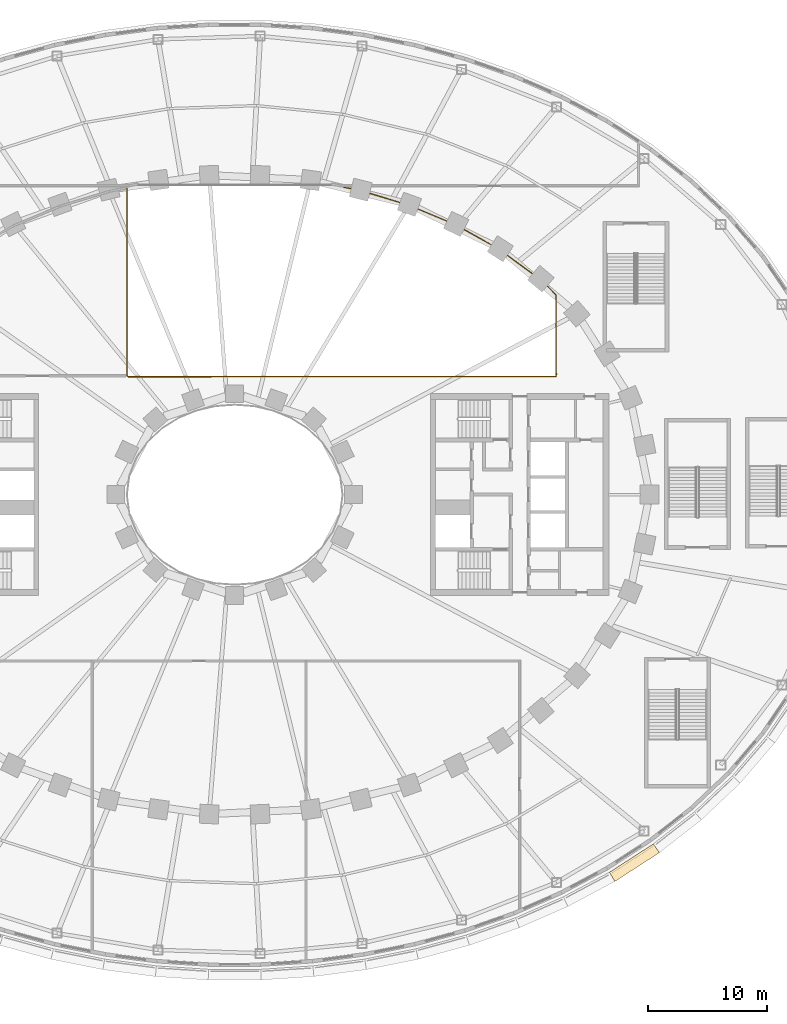
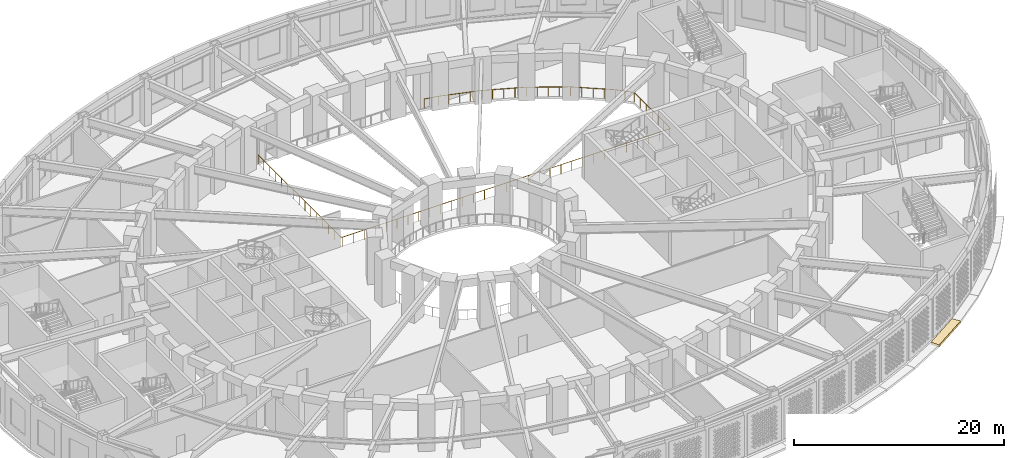
# One storey, part 62 of 69: 1 covering, 1 railing.
"""IFC4 building model written with IfcOpenShell, lengths in metres."""

from ifc_helpers import new_model, si_unit, direction, frame, origin, origin_2d, place, context, subcontext, project, spatial, polyline, rectangle, outline, extrude, material, type_object, element, save


model = new_model("IFC4")

# Units and contexts
model_context = context("Model", 3, precision=1e-05, world=origin(), true_north=direction((0.0, 1.0)))
body_context = subcontext(model_context, "Body", "Model", "MODEL_VIEW")
ifc_project = project(units=[si_unit("LENGTHUNIT", "METRE"), si_unit("AREAUNIT", "SQUARE_METRE"), si_unit("VOLUMEUNIT", "CUBIC_METRE"), si_unit("PLANEANGLEUNIT", "RADIAN"), si_unit("MASSUNIT", "GRAM", prefix="KILO")], contexts=[model_context])

# Site, building, storey
site_placement = place(None, origin())
site = spatial("IfcSite", under=ifc_project, at=site_placement, CompositionType="ELEMENT")
building_placement = place(site_placement, origin())
building = spatial("IfcBuilding", under=site, at=building_placement, Name="Noorbagh Ring Tower", CompositionType="ELEMENT")
storey_placement = place(building_placement, frame((0.0, 0.0, 19.5)))
storey = spatial("IfcBuildingStorey", under=building, at=storey_placement, Name="L03", CompositionType="ELEMENT", Elevation=19.5)

# Railing
ifc_material_1 = material(Name="Stainless steel", Category="steel")
railing_type = type_object("IfcRailingType", Name="DECK-GUARD", PredefinedType="GUARDRAIL", material=ifc_material_1)
railing_placement = place(storey_placement, frame((9.216064453125, 25.868896484375, 0.0)))
element("IfcRailing", 1, at=railing_placement, inside=storey, type_object=railing_type, Name="Auditorium edge guard 2", PredefinedType="GUARDRAIL", context=body_context, shape_type="SweptSolid", body=[
    extrude(rectangle(XDim=0.048095703125, YDim=0.048095703125, at=origin_2d()), frame((0.0, 0.0, 1.076171875), z_axis=(0.981596393434, -0.190967328091, 0.0), x_axis=(0.190967328091, 0.981596393434, 0.0)), (0.0, 0.0, 1.0), 1.405029296875),
    extrude(rectangle(XDim=0.048095703125, YDim=0.048095703125, at=origin_2d()), frame((1.379150390625, -0.268310546875, 1.076171875), z_axis=(0.957576868561, -0.288177967229, 0.0), x_axis=(0.288177967229, 0.957576868561, 0.0)), (0.0, 0.0, 1.0), 4.208740234375),
    extrude(rectangle(XDim=0.048095703125, YDim=0.048095703125, at=origin_2d()), frame((5.409423828125, -1.481201171875, 1.076171875), z_axis=(0.92238049794, -0.386282561112, 0.0), x_axis=(0.386282561112, 0.92238049794, 0.0)), (0.0, 0.0, 1.0), 4.3134765625),
    extrude(rectangle(XDim=0.048095703125, YDim=0.048095703125, at=origin_2d()), frame((9.38818359375, -3.1474609375, 1.076171875), z_axis=(0.872197346671, -0.489154156131, 0.0), x_axis=(0.489154156131, 0.872197346671, 0.0)), (0.0, 0.0, 1.0), 4.21044921875),
    extrude(rectangle(XDim=0.048095703125, YDim=0.048095703125, at=origin_2d()), frame((13.060546875, -5.20703125, 1.076171875), z_axis=(0.805497750953, -0.592598829909, 0.0), x_axis=(0.592598829909, 0.805497750953, 0.0)), (0.0, 0.0, 1.0), 4.31640625),
    extrude(rectangle(XDim=0.048095703125, YDim=0.048095703125, at=origin_2d()), frame((16.537353515625, -7.764892578125, 1.076171875), z_axis=(0.715315797162, -0.698801338244, 0.0), x_axis=(0.698801338244, 0.715315797162, 0.0)), (0.0, 0.0, 1.0), 1.833251953125),
    extrude(rectangle(XDim=0.048095703125, YDim=0.048095703125, at=origin_2d()), frame((17.8486328125, -9.0458984375, 1.076171875), z_axis=(0.001485236543, -0.999998897036, 0.0), x_axis=(0.999998897036, 0.001485236543, 0.0)), (0.0, 0.0, 1.0), 6.739501953125),
    extrude(rectangle(XDim=0.048095703125, YDim=0.048095703125, at=origin_2d()), frame((17.858642578125, -15.785400390625, 1.076171875), z_axis=(-0.271890659004, -0.962328150657, 0.0), x_axis=(0.962328150657, -0.271890659004, 0.0)), (0.0, 0.0, 1.0), 0.148193359375),
    extrude(rectangle(XDim=0.048095703125, YDim=0.048095703125, at=origin_2d()), frame((17.818359375, -15.927978515625, 1.076171875), z_axis=(-0.999999930426, -0.000373025482, 0.0), x_axis=(0.000373025482, -0.999999930426, 0.0)), (0.0, 0.0, 1.0), 35.996826171875),
    extrude(rectangle(XDim=0.048095703125, YDim=0.048095703125, at=origin_2d()), frame((-18.178466796875, -15.94140625, 1.076171875), z_axis=(-0.774978781928, 0.631987252689, 0.0), x_axis=(-0.631987252689, -0.774978781928, 0.0)), (0.0, 0.0, 1.0), 0.13818359375),
    extrude(rectangle(XDim=0.048095703125, YDim=0.048095703125, at=origin_2d()), frame((-18.28564453125, -15.85400390625, 1.076171875), z_axis=(-0.041947778055, 0.999119804586, 0.0), x_axis=(-0.999119804586, -0.041947778055, 0.0)), (0.0, 0.0, 1.0), 0.1279296875),
    extrude(rectangle(XDim=0.048095703125, YDim=0.048095703125, at=origin_2d()), frame((-18.291015625, -15.72607421875, 1.076171875), z_axis=(3.125586e-05, 0.999999999512, 0.0), x_axis=(-0.999999999512, 3.125586e-05, 0.0)), (0.0, 0.0, 1.0), 15.6220703125),
    extrude(rectangle(XDim=0.0419921875, YDim=0.0419921875, at=origin_2d()), origin(), (0.0, 0.0, 1.0), 1.052001953125),
    extrude(rectangle(XDim=0.0419921875, YDim=0.0419921875, at=origin_2d()), frame((0.689453125, -0.13427734375, 0.0)), (0.0, 0.0, 1.0), 1.052001953125),
    extrude(rectangle(XDim=0.0419921875, YDim=0.0419921875, at=origin_2d()), frame((1.379150390625, -0.268310546875, 0.0)), (0.0, 0.0, 1.0), 1.052001953125),
    extrude(rectangle(XDim=0.0419921875, YDim=0.0419921875, at=origin_2d()), frame((2.38671875, -0.571533203125, 0.0)), (0.0, 0.0, 1.0), 1.052001953125),
    extrude(rectangle(XDim=0.0419921875, YDim=0.0419921875, at=origin_2d()), frame((3.394287109375, -0.874755859375, 0.0)), (0.0, 0.0, 1.0), 1.052001953125),
    extrude(rectangle(XDim=0.0419921875, YDim=0.0419921875, at=origin_2d()), frame((4.40185546875, -1.177978515625, 0.0)), (0.0, 0.0, 1.0), 1.052001953125),
    extrude(rectangle(XDim=0.0419921875, YDim=0.0419921875, at=origin_2d()), frame((5.409423828125, -1.481201171875, 0.0)), (0.0, 0.0, 1.0), 1.052001953125),
    extrude(rectangle(XDim=0.0419921875, YDim=0.0419921875, at=origin_2d()), frame((6.404052734375, -1.897705078125, 0.0)), (0.0, 0.0, 1.0), 1.052001953125),
    extrude(rectangle(XDim=0.0419921875, YDim=0.0419921875, at=origin_2d()), frame((7.39892578125, -2.314453125, 0.0)), (0.0, 0.0, 1.0), 1.052001953125),
    extrude(rectangle(XDim=0.0419921875, YDim=0.0419921875, at=origin_2d()), frame((8.3935546875, -2.73095703125, 0.0)), (0.0, 0.0, 1.0), 1.052001953125),
    extrude(rectangle(XDim=0.0419921875, YDim=0.0419921875, at=origin_2d()), frame((9.38818359375, -3.1474609375, 0.0)), (0.0, 0.0, 1.0), 1.052001953125),
    extrude(rectangle(XDim=0.0419921875, YDim=0.0419921875, at=origin_2d()), frame((10.30615234375, -3.662353515625, 0.0)), (0.0, 0.0, 1.0), 1.052001953125),
    extrude(rectangle(XDim=0.0419921875, YDim=0.0419921875, at=origin_2d()), frame((11.224365234375, -4.17724609375, 0.0)), (0.0, 0.0, 1.0), 1.052001953125),
    extrude(rectangle(XDim=0.0419921875, YDim=0.0419921875, at=origin_2d()), frame((12.142578125, -4.692138671875, 0.0)), (0.0, 0.0, 1.0), 1.052001953125),
    extrude(rectangle(XDim=0.0419921875, YDim=0.0419921875, at=origin_2d()), frame((13.060546875, -5.20703125, 0.0)), (0.0, 0.0, 1.0), 1.052001953125),
    extrude(rectangle(XDim=0.0419921875, YDim=0.0419921875, at=origin_2d()), frame((13.9296875, -5.846435546875, 0.0)), (0.0, 0.0, 1.0), 1.052001953125),
    extrude(rectangle(XDim=0.0419921875, YDim=0.0419921875, at=origin_2d()), frame((14.798828125, -6.48583984375, 0.0)), (0.0, 0.0, 1.0), 1.052001953125),
    extrude(rectangle(XDim=0.0419921875, YDim=0.0419921875, at=origin_2d()), frame((15.668212890625, -7.12548828125, 0.0)), (0.0, 0.0, 1.0), 1.052001953125),
    extrude(rectangle(XDim=0.0419921875, YDim=0.0419921875, at=origin_2d()), frame((16.537353515625, -7.764892578125, 0.0)), (0.0, 0.0, 1.0), 1.052001953125),
    extrude(rectangle(XDim=0.0419921875, YDim=0.0419921875, at=origin_2d()), frame((17.19287109375, -8.4052734375, 0.0)), (0.0, 0.0, 1.0), 1.052001953125),
    extrude(rectangle(XDim=0.0419921875, YDim=0.0419921875, at=origin_2d()), frame((17.8486328125, -9.0458984375, 0.0)), (0.0, 0.0, 1.0), 1.052001953125),
    extrude(rectangle(XDim=0.0419921875, YDim=0.0419921875, at=origin_2d()), frame((17.850341796875, -10.169189453125, 0.0)), (0.0, 0.0, 1.0), 1.052001953125),
    extrude(rectangle(XDim=0.0419921875, YDim=0.0419921875, at=origin_2d()), frame((17.85205078125, -11.29248046875, 0.0)), (0.0, 0.0, 1.0), 1.052001953125),
    extrude(rectangle(XDim=0.0419921875, YDim=0.0419921875, at=origin_2d()), frame((17.853515625, -12.41552734375, 0.0)), (0.0, 0.0, 1.0), 1.052001953125),
    extrude(rectangle(XDim=0.0419921875, YDim=0.0419921875, at=origin_2d()), frame((17.855224609375, -13.538818359375, 0.0)), (0.0, 0.0, 1.0), 1.052001953125),
    extrude(rectangle(XDim=0.0419921875, YDim=0.0419921875, at=origin_2d()), frame((17.85693359375, -14.662109375, 0.0)), (0.0, 0.0, 1.0), 1.052001953125),
    extrude(rectangle(XDim=0.0419921875, YDim=0.0419921875, at=origin_2d()), frame((17.858642578125, -15.785400390625, 0.0)), (0.0, 0.0, 1.0), 1.052001953125),
    extrude(rectangle(XDim=0.0419921875, YDim=0.0419921875, at=origin_2d()), frame((16.618408203125, -15.928466796875, 0.0)), (0.0, 0.0, 1.0), 1.052001953125),
    extrude(rectangle(XDim=0.0419921875, YDim=0.0419921875, at=origin_2d()), frame((15.41845703125, -15.928955078125, 0.0)), (0.0, 0.0, 1.0), 1.052001953125),
    extrude(rectangle(XDim=0.0419921875, YDim=0.0419921875, at=origin_2d()), frame((14.21875, -15.92919921875, 0.0)), (0.0, 0.0, 1.0), 1.052001953125),
    extrude(rectangle(XDim=0.0419921875, YDim=0.0419921875, at=origin_2d()), frame((13.018798828125, -15.9296875, 0.0)), (0.0, 0.0, 1.0), 1.052001953125),
    extrude(rectangle(XDim=0.0419921875, YDim=0.0419921875, at=origin_2d()), frame((11.81884765625, -15.93017578125, 0.0)), (0.0, 0.0, 1.0), 1.052001953125),
    extrude(rectangle(XDim=0.0419921875, YDim=0.0419921875, at=origin_2d()), frame((10.618896484375, -15.9306640625, 0.0)), (0.0, 0.0, 1.0), 1.052001953125),
    extrude(rectangle(XDim=0.0419921875, YDim=0.0419921875, at=origin_2d()), frame((9.419189453125, -15.93115234375, 0.0)), (0.0, 0.0, 1.0), 1.052001953125),
    extrude(rectangle(XDim=0.0419921875, YDim=0.0419921875, at=origin_2d()), frame((8.21923828125, -15.931640625, 0.0)), (0.0, 0.0, 1.0), 1.052001953125),
    extrude(rectangle(XDim=0.0419921875, YDim=0.0419921875, at=origin_2d()), frame((7.019287109375, -15.93212890625, 0.0)), (0.0, 0.0, 1.0), 1.052001953125),
    extrude(rectangle(XDim=0.0419921875, YDim=0.0419921875, at=origin_2d()), frame((5.8193359375, -15.932373046875, 0.0)), (0.0, 0.0, 1.0), 1.052001953125),
    extrude(rectangle(XDim=0.0419921875, YDim=0.0419921875, at=origin_2d()), frame((4.61962890625, -15.932861328125, 0.0)), (0.0, 0.0, 1.0), 1.052001953125),
    extrude(rectangle(XDim=0.0419921875, YDim=0.0419921875, at=origin_2d()), frame((3.419677734375, -15.933349609375, 0.0)), (0.0, 0.0, 1.0), 1.052001953125),
    extrude(rectangle(XDim=0.0419921875, YDim=0.0419921875, at=origin_2d()), frame((2.2197265625, -15.933837890625, 0.0)), (0.0, 0.0, 1.0), 1.052001953125),
    extrude(rectangle(XDim=0.0419921875, YDim=0.0419921875, at=origin_2d()), frame((1.019775390625, -15.934326171875, 0.0)), (0.0, 0.0, 1.0), 1.052001953125),
    extrude(rectangle(XDim=0.0419921875, YDim=0.0419921875, at=origin_2d()), frame((-0.18017578125, -15.9345703125, 0.0)), (0.0, 0.0, 1.0), 1.052001953125),
    extrude(rectangle(XDim=0.0419921875, YDim=0.0419921875, at=origin_2d()), frame((-1.3798828125, -15.93505859375, 0.0)), (0.0, 0.0, 1.0), 1.052001953125),
    extrude(rectangle(XDim=0.0419921875, YDim=0.0419921875, at=origin_2d()), frame((-2.579833984375, -15.935546875, 0.0)), (0.0, 0.0, 1.0), 1.052001953125),
    extrude(rectangle(XDim=0.0419921875, YDim=0.0419921875, at=origin_2d()), frame((-3.77978515625, -15.93603515625, 0.0)), (0.0, 0.0, 1.0), 1.052001953125),
    extrude(rectangle(XDim=0.0419921875, YDim=0.0419921875, at=origin_2d()), frame((-4.979736328125, -15.9365234375, 0.0)), (0.0, 0.0, 1.0), 1.052001953125),
    extrude(rectangle(XDim=0.0419921875, YDim=0.0419921875, at=origin_2d()), frame((-6.179443359375, -15.93701171875, 0.0)), (0.0, 0.0, 1.0), 1.052001953125),
    extrude(rectangle(XDim=0.0419921875, YDim=0.0419921875, at=origin_2d()), frame((-7.37939453125, -15.9375, 0.0)), (0.0, 0.0, 1.0), 1.052001953125),
    extrude(rectangle(XDim=0.0419921875, YDim=0.0419921875, at=origin_2d()), frame((-8.579345703125, -15.937744140625, 0.0)), (0.0, 0.0, 1.0), 1.052001953125),
    extrude(rectangle(XDim=0.0419921875, YDim=0.0419921875, at=origin_2d()), frame((-9.779296875, -15.938232421875, 0.0)), (0.0, 0.0, 1.0), 1.052001953125),
    extrude(rectangle(XDim=0.0419921875, YDim=0.0419921875, at=origin_2d()), frame((-10.97900390625, -15.938720703125, 0.0)), (0.0, 0.0, 1.0), 1.052001953125),
    extrude(rectangle(XDim=0.0419921875, YDim=0.0419921875, at=origin_2d()), frame((-12.178955078125, -15.939208984375, 0.0)), (0.0, 0.0, 1.0), 1.052001953125),
    extrude(rectangle(XDim=0.0419921875, YDim=0.0419921875, at=origin_2d()), frame((-13.37890625, -15.939697265625, 0.0)), (0.0, 0.0, 1.0), 1.052001953125),
    extrude(rectangle(XDim=0.0419921875, YDim=0.0419921875, at=origin_2d()), frame((-14.578857421875, -15.93994140625, 0.0)), (0.0, 0.0, 1.0), 1.052001953125),
    extrude(rectangle(XDim=0.0419921875, YDim=0.0419921875, at=origin_2d()), frame((-15.778564453125, -15.9404296875, 0.0)), (0.0, 0.0, 1.0), 1.052001953125),
    extrude(rectangle(XDim=0.0419921875, YDim=0.0419921875, at=origin_2d()), frame((-16.978515625, -15.94091796875, 0.0)), (0.0, 0.0, 1.0), 1.052001953125),
    extrude(rectangle(XDim=0.0419921875, YDim=0.0419921875, at=origin_2d()), frame((-18.178466796875, -15.94140625, 0.0)), (0.0, 0.0, 1.0), 1.052001953125),
    extrude(rectangle(XDim=0.0419921875, YDim=0.0419921875, at=origin_2d()), frame((-18.291015625, -14.610107421875, 0.0)), (0.0, 0.0, 1.0), 1.052001953125),
    extrude(rectangle(XDim=0.0419921875, YDim=0.0419921875, at=origin_2d()), frame((-18.291015625, -13.494384765625, 0.0)), (0.0, 0.0, 1.0), 1.052001953125),
    extrude(rectangle(XDim=0.0419921875, YDim=0.0419921875, at=origin_2d()), frame((-18.291015625, -12.37841796875, 0.0)), (0.0, 0.0, 1.0), 1.052001953125),
    extrude(rectangle(XDim=0.0419921875, YDim=0.0419921875, at=origin_2d()), frame((-18.290771484375, -11.2626953125, 0.0)), (0.0, 0.0, 1.0), 1.052001953125),
    extrude(rectangle(XDim=0.0419921875, YDim=0.0419921875, at=origin_2d()), frame((-18.290771484375, -10.146728515625, 0.0)), (0.0, 0.0, 1.0), 1.052001953125),
    extrude(rectangle(XDim=0.0419921875, YDim=0.0419921875, at=origin_2d()), frame((-18.290771484375, -9.031005859375, 0.0)), (0.0, 0.0, 1.0), 1.052001953125),
    extrude(rectangle(XDim=0.0419921875, YDim=0.0419921875, at=origin_2d()), frame((-18.290771484375, -7.9150390625, 0.0)), (0.0, 0.0, 1.0), 1.052001953125),
    extrude(rectangle(XDim=0.0419921875, YDim=0.0419921875, at=origin_2d()), frame((-18.290771484375, -6.799072265625, 0.0)), (0.0, 0.0, 1.0), 1.052001953125),
    extrude(rectangle(XDim=0.0419921875, YDim=0.0419921875, at=origin_2d()), frame((-18.290771484375, -5.683349609375, 0.0)), (0.0, 0.0, 1.0), 1.052001953125),
    extrude(rectangle(XDim=0.0419921875, YDim=0.0419921875, at=origin_2d()), frame((-18.290771484375, -4.5673828125, 0.0)), (0.0, 0.0, 1.0), 1.052001953125),
    extrude(rectangle(XDim=0.0419921875, YDim=0.0419921875, at=origin_2d()), frame((-18.29052734375, -3.45166015625, 0.0)), (0.0, 0.0, 1.0), 1.052001953125),
    extrude(rectangle(XDim=0.0419921875, YDim=0.0419921875, at=origin_2d()), frame((-18.29052734375, -2.335693359375, 0.0)), (0.0, 0.0, 1.0), 1.052001953125),
    extrude(rectangle(XDim=0.0419921875, YDim=0.0419921875, at=origin_2d()), frame((-18.29052734375, -1.219970703125, 0.0)), (0.0, 0.0, 1.0), 1.052001953125),
    extrude(rectangle(XDim=0.0419921875, YDim=0.0419921875, at=origin_2d()), frame((-18.29052734375, -0.10400390625, 0.0)), (0.0, 0.0, 1.0), 1.052001953125),
])

# Covering
ifc_material_2 = material(Name="Red sandstone eave", Category="masonry")
covering_type = type_object("IfcCoveringType", Name="STY-CHHAJJA", PredefinedType="USERDEFINED", material=ifc_material_2)
covering_placement = place(storey_placement, frame((0.0, 0.0, -0.25)))
element("IfcCovering", 2, at=covering_placement, inside=storey, type_object=covering_type, Name="Chhajja eave", ObjectType="CHHAJJA", PredefinedType="USERDEFINED", context=body_context, shape_type="SweptSolid", body=[
    extrude(outline(polyline([(31.5546875, -31.793701171875), (35.247802734375, -29.408203125), (35.769775390625, -30.142578125), (32.011474609375, -32.56982421875), (31.5546875, -31.793701171875)])), origin(), (0.0, 0.0, 1.0), 0.25),
])

save(model, "model.ifc")
